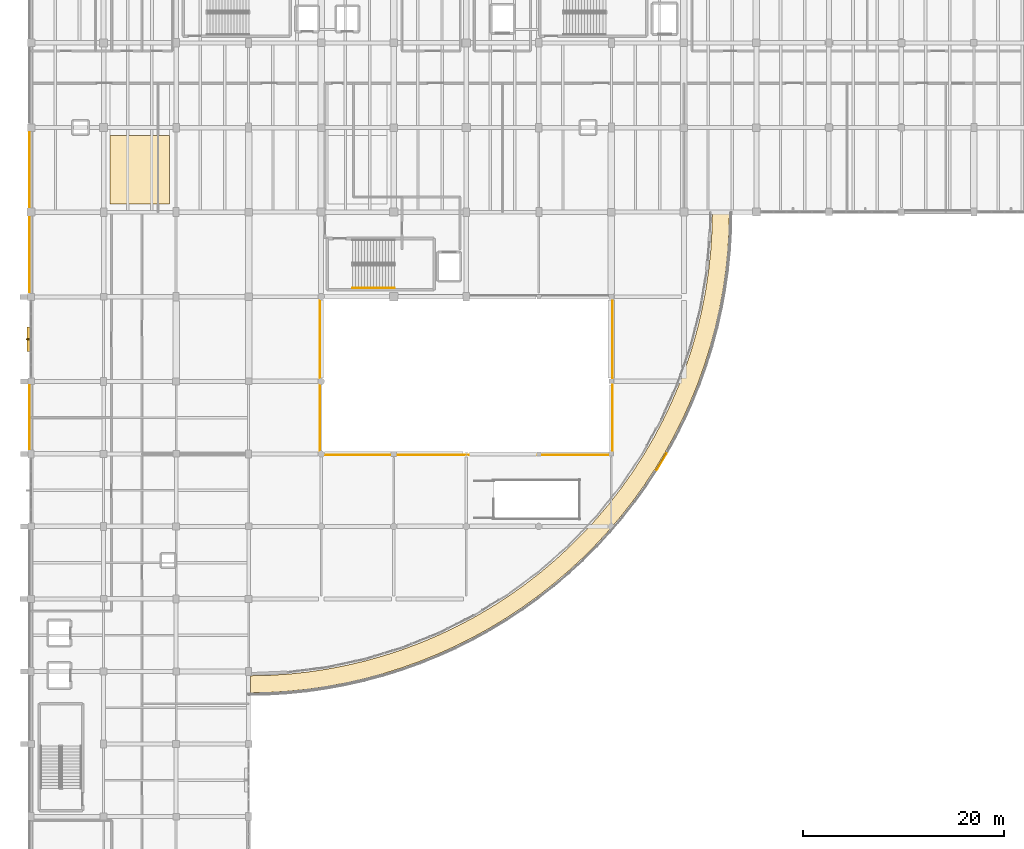
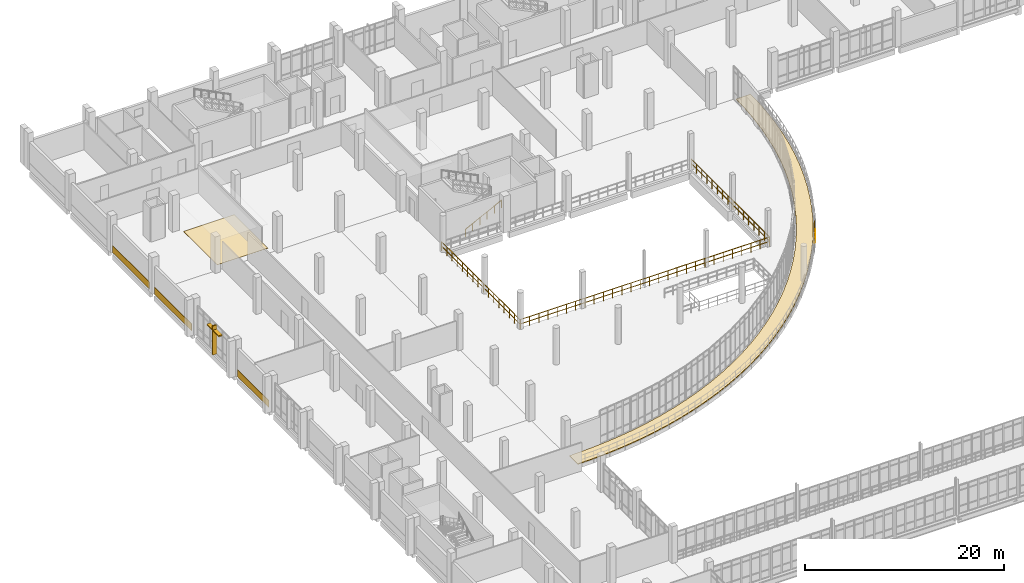
# One storey, part 112 of 116: 6 coverings, 5 railings, 2 shading devices.
"""IFC4 building model written with IfcOpenShell, lengths in metres."""

import ifcopenshell
import ifcopenshell.guid

model = None  # the IFC model being written
_history = None  # IfcOwnerHistory: only IFC2X3 demands one
_inside = {}  # id of a spatial element -> (the spatial element, [elements in it])
_under = {}  # id of a project, library or spatial element -> (it, [spatial elements below it])
_declared = {}  # id of a project -> (the project, [libraries it declares])
_typed = {}  # id of a type object -> (the type object, [elements of that type])
_made_of = {}  # id of a material, layer set ... -> (it, [elements and type objects made of it])


def new_model(schema):
    """Start an empty IFC model of exactly this schema.

    Asked for "IFC4X3", IfcOpenShell would pick the latest addendum, in which some entities
    have other attributes; the version numbers below select the first issue.
    IFC2X3 requires an IfcOwnerHistory on every rooted entity: one is made here for all.
    """
    global model, _history
    if schema == "IFC4X3":
        model = ifcopenshell.file(schema_version=(4, 3, 0, 0))
    else:
        model = ifcopenshell.file(schema=schema)
    _inside.clear()
    _under.clear()
    _declared.clear()
    _typed.clear()
    _made_of.clear()
    _history = None
    if model.schema == "IFC2X3":
        org = make("IfcOrganization", Name="unknown")
        user = make(
            "IfcPersonAndOrganization",
            ThePerson=make("IfcPerson", FamilyName="unknown"),
            TheOrganization=org,
        )
        app = make(
            "IfcApplication",
            ApplicationDeveloper=org,
            Version="unknown",
            ApplicationFullName="unknown",
            ApplicationIdentifier="unknown",
        )
        _history = make(
            "IfcOwnerHistory",
            OwningUser=user,
            OwningApplication=app,
            ChangeAction="ADDED",
            CreationDate=0,
        )
    return model


def make(cls, **values):
    """One entity of the class cls with the attributes given. An attribute that is None is left unset."""
    return model.create_entity(
        cls, **{name: value for name, value in values.items() if value is not None}
    )


def rooted(cls, **values):
    """An entity with a GlobalId (a new one), such as an element, a storey or a relation."""
    return make(cls, GlobalId=ifcopenshell.guid.new(), OwnerHistory=_history, **values)


def si_unit(unit_type, name, prefix=None):
    """IfcSIUnit, for example si_unit("LENGTHUNIT", "METRE", prefix="MILLI")."""
    return make("IfcSIUnit", UnitType=unit_type, Prefix=prefix, Name=name)


def assignment(units):
    """IfcUnitAssignment: the units of a project."""
    return None if units is None else make("IfcUnitAssignment", Units=units)


def point(xyz):
    """IfcCartesianPoint."""
    return None if xyz is None else make("IfcCartesianPoint", Coordinates=xyz)


def direction(xyz):
    """IfcDirection."""
    return None if xyz is None else make("IfcDirection", DirectionRatios=xyz)


def frame(location, z_axis=None, x_axis=None):
    """IfcAxis2Placement3D, a coordinate frame: its origin and axes. An axis left out is left unset."""
    return make(
        "IfcAxis2Placement3D",
        Location=point(location),
        Axis=direction(z_axis),
        RefDirection=direction(x_axis),
    )


def frame_2d(location, x_axis=None):
    """IfcAxis2Placement2D, a coordinate frame in the plane: its origin and x axis."""
    return make(
        "IfcAxis2Placement2D", Location=point(location), RefDirection=direction(x_axis)
    )


def origin():
    """The frame at (0, 0, 0) with its axes left unset."""
    return frame((0.0, 0.0, 0.0))


def origin_2d():
    """The frame at (0, 0) in the plane with its x axis left unset."""
    return frame_2d((0.0, 0.0))


def place(relative_to, where):
    """IfcLocalPlacement: puts the frame where relative to a parent placement (None: the world)."""
    return make(
        "IfcLocalPlacement", PlacementRelTo=relative_to, RelativePlacement=where
    )


def context(
    kind, dimensions, precision=None, world=None, true_north=None, identifier=None
):
    """IfcGeometricRepresentationContext, for example the 3D "Model" context."""
    return make(
        "IfcGeometricRepresentationContext",
        ContextIdentifier=identifier,
        ContextType=kind,
        CoordinateSpaceDimension=dimensions,
        Precision=precision,
        WorldCoordinateSystem=world,
        TrueNorth=true_north,
    )


def subcontext(parent, identifier, kind, view, scale=None):
    """IfcGeometricRepresentationSubContext, for example "Body" below "Model"."""
    return make(
        "IfcGeometricRepresentationSubContext",
        ContextIdentifier=identifier,
        ContextType=kind,
        ParentContext=parent,
        TargetScale=scale,
        TargetView=view,
    )


def project(units=None, contexts=None):
    """IfcProject with its units and contexts."""
    return rooted(
        "IfcProject",
        Name="project",
        RepresentationContexts=contexts,
        UnitsInContext=assignment(units),
    )


def spatial(cls, under=None, at=None, **own):
    """A site, building, storey or space (cls), placed at a placement, below another one or the project."""
    s = rooted(cls, ObjectPlacement=at, **own)
    if under is not None:
        _under.setdefault(under.id(), (under, []))[1].append(s)
    return s


def polyline(points):
    """IfcPolyline through the points."""
    return make("IfcPolyline", Points=[point(p) for p in points])


def profile(cls, at=None, kind="AREA", **sizes):
    """A parametric profile (cls). Its sizes go by their IFC names, for example OverallWidth=200.0."""
    return make(cls, ProfileType=kind, Position=at, **sizes)


def rectangle(**sizes):
    """IfcRectangleProfileDef."""
    return profile("IfcRectangleProfileDef", **sizes)


def circle(**sizes):
    """IfcCircleProfileDef."""
    return profile("IfcCircleProfileDef", **sizes)


def outline(outer, holes=None, kind="AREA"):
    """IfcArbitraryClosedProfileDef: a profile drawn as a closed curve; with holes, ...WithVoids."""
    if holes is None:
        return make("IfcArbitraryClosedProfileDef", ProfileType=kind, OuterCurve=outer)
    return make(
        "IfcArbitraryProfileDefWithVoids",
        ProfileType=kind,
        OuterCurve=outer,
        InnerCurves=holes,
    )


def extrude(swept, where, along, depth):
    """IfcExtrudedAreaSolid: the profile swept, set in the frame where, extruded along a direction by depth."""
    return make(
        "IfcExtrudedAreaSolid",
        SweptArea=swept,
        Position=where,
        ExtrudedDirection=direction(along),
        Depth=depth,
    )


def shape(context_of_items, identifier, shape_type, items):
    """IfcShapeRepresentation: the items that make up one representation, for example the "Body"."""
    return make(
        "IfcShapeRepresentation",
        ContextOfItems=context_of_items,
        RepresentationIdentifier=identifier,
        RepresentationType=shape_type,
        Items=items,
    )


def material(Name=None, Category=None):
    """IfcMaterial."""
    return make("IfcMaterial", Name=Name, Category=Category)


def layer(
    of_material, thickness, ventilated=None, Name=None, Category=None, Priority=None
):
    """IfcMaterialLayer: one layer of a wall or slab, of a material (None: an air gap)."""
    return make(
        "IfcMaterialLayer",
        Material=of_material,
        LayerThickness=thickness,
        IsVentilated=ventilated,
        Name=Name,
        Category=Category,
        Priority=Priority,
    )


def layer_set(layers, Name=None):
    """IfcMaterialLayerSet."""
    return make("IfcMaterialLayerSet", MaterialLayers=layers, LayerSetName=Name)


def made_of(thing, what):
    """Note that an element or type object is made of a material, layer set ...; save() writes the relation."""
    if what is not None:
        _made_of.setdefault(what.id(), (what, []))[1].append(thing)
    return thing


def type_object(cls, material=None, **own):
    """A type object (cls), such as IfcWallType, which elements share."""
    return made_of(rooted(cls, **own), material)


def element(
    cls,
    number,
    at=None,
    inside=None,
    cuts=None,
    type_object=None,
    material=None,
    context=None,
    identifier="Body",
    shape_type=None,
    held_by="IfcProductDefinitionShape",
    body=None,
    shapes=None,
    **own,
):
    """One element of the class cls, such as IfcWall. Its Tag is "e" and its number.

    at: its placement. inside: the storey or other place that contains it. cuts: it is an
    opening in that element (IfcRelVoidsElement). A single representation is given by context,
    identifier, shape_type and body (its items); several are given by shapes. held_by: the class
    of the entity that holds the representations. save() writes the other relations.
    """
    e = rooted(cls, Tag="e%d" % number, ObjectPlacement=at, **own)
    if body is not None:
        shapes = [shape(context, identifier, shape_type, body)]
    if shapes is not None:
        e.Representation = make(held_by, Representations=shapes)
    if inside is not None:
        _inside.setdefault(inside.id(), (inside, []))[1].append(e)
    if cuts is not None:
        rooted(
            "IfcRelVoidsElement", RelatingBuildingElement=cuts, RelatedOpeningElement=e
        )
    if type_object is not None:
        _typed.setdefault(type_object.id(), (type_object, []))[1].append(e)
    return made_of(e, material)


def aggregate(whole, parts):
    """IfcRelAggregates: a whole, such as a stair, and the parts it consists of."""
    return rooted("IfcRelAggregates", RelatingObject=whole, RelatedObjects=parts)


def save(model, path):
    """Write the relations noted so far, then the file.

    IfcRelAggregates (storeys below a building ...), IfcRelContainedInSpatialStructure (elements
    in a storey), IfcRelDefinesByType, IfcRelAssociatesMaterial and IfcRelDeclares: one each for
    every whole, place, type object, material and project.
    """
    for whole, parts in _under.values():
        aggregate(whole, parts)
    for where, things in _inside.values():
        rooted(
            "IfcRelContainedInSpatialStructure",
            RelatedElements=things,
            RelatingStructure=where,
        )
    for kind, things in _typed.values():
        rooted("IfcRelDefinesByType", RelatedObjects=things, RelatingType=kind)
    for what, things in _made_of.values():
        rooted("IfcRelAssociatesMaterial", RelatedObjects=things, RelatingMaterial=what)
    for by, libraries in _declared.values():
        rooted("IfcRelDeclares", RelatingContext=by, RelatedDefinitions=libraries)
    model.write(path)


model = new_model("IFC4")

# Units and contexts
model_context = context("Model", 3, precision=1e-05, world=origin(), true_north=direction((0.0, 1.0)))
body_context = subcontext(model_context, "Body", "Model", "MODEL_VIEW")
ifc_project = project(units=[si_unit("LENGTHUNIT", "METRE"), si_unit("AREAUNIT", "SQUARE_METRE"), si_unit("VOLUMEUNIT", "CUBIC_METRE"), si_unit("PLANEANGLEUNIT", "RADIAN"), si_unit("MASSUNIT", "GRAM", prefix="KILO")], contexts=[model_context])

# Site, building, storey
site_placement = place(None, origin())
site = spatial("IfcSite", under=ifc_project, at=site_placement, CompositionType="ELEMENT")
building_placement = place(site_placement, origin())
building = spatial("IfcBuilding", under=site, at=building_placement, Name="Kalluvel Institute of Natural Sciences", CompositionType="ELEMENT")
storey_placement = place(building_placement, frame((0.0, 0.0, 14.39990234375)))
storey = spatial("IfcBuildingStorey", under=building, at=storey_placement, Name="L03", CompositionType="ELEMENT", Elevation=14.39990234375)

# Coverings
ifc_material_1 = material(Name="Sadarahalli Grey Granite Ashlar Concrete M40", Category="masonry")
ifc_layer_1 = layer(ifc_material_1, 0.044921875)
ifc_layer_set_1 = layer_set([ifc_layer_1], Name="Sadarahalli Grey Granite Ashlar Concrete M40")
covering_type_1 = type_object("IfcCoveringType", Name="COV-CLAD-STONE", PredefinedType="CLADDING", material=ifc_layer_set_1)
covering_1_placement = place(storey_placement, frame((13.820068359375, 107.012451171875, 0.025146484375), z_axis=(0.0, 0.0, 1.0), x_axis=(0.0, 1.0, 0.0)))
element("IfcCovering", 1, at=covering_1_placement, inside=storey, type_object=covering_type_1, Name="L03 Sadarahalli granite plinth spandrel cladding 44", PredefinedType="CLADDING", context=body_context, shape_type="SweptSolid", body=[
    extrude(rectangle(XDim=7.465087890625, YDim=0.044921875, at=origin_2d()), origin(), (0.0, 0.0, 1.0), 0.85009765625),
])
covering_2_placement = place(storey_placement, frame((13.830078125, 82.4375, 0.025146484375), z_axis=(0.0, 0.0, 1.0), x_axis=(0.0, 1.0, 0.0)))
element("IfcCovering", 2, at=covering_2_placement, inside=storey, type_object=covering_type_1, Name="L03 Sadarahalli granite plinth spandrel cladding 166", PredefinedType="CLADDING", context=body_context, shape_type="SweptSolid", body=[
    extrude(rectangle(XDim=6.31494140625, YDim=0.044921875, at=origin_2d()), origin(), (0.0, 0.0, 1.0), 0.85009765625),
])
covering_3_placement = place(storey_placement, frame((13.830078125, 98.574951171875, 0.025146484375), z_axis=(0.0, 0.0, 1.0), x_axis=(0.0, 1.0, 0.0)))
element("IfcCovering", 3, at=covering_3_placement, inside=storey, type_object=covering_type_1, Name="L03 Sadarahalli granite plinth spandrel cladding 167", PredefinedType="CLADDING", context=body_context, shape_type="SweptSolid", body=[
    extrude(rectangle(XDim=7.489990234375, YDim=0.044921875, at=origin_2d()), origin(), (0.0, 0.0, 1.0), 0.85009765625),
])
covering_4_placement = place(storey_placement, frame((76.59228515625, 78.019287109375, -0.31982421875), z_axis=(0.0, 0.0, 1.0), x_axis=(0.517280366086, 0.855815998251, 0.0)))
element("IfcCovering", 4, at=covering_4_placement, inside=storey, type_object=covering_type_1, Name="L03 curved terrace Sadarahalli stone spandrel fascia 317", PredefinedType="CLADDING", context=body_context, shape_type="SweptSolid", body=[
    extrude(rectangle(XDim=1.88916015625, YDim=0.054931640625, at=origin_2d()), origin(), (0.0, 0.0, 1.0), 0.47998046875),
])
ifc_material_2 = material(Name="Seamless Chemical-Resistant Epoxy Flooring", Category="resin")
ifc_layer_2 = layer(ifc_material_2, 0.014892578125)
ifc_layer_set_2 = layer_set([ifc_layer_2], Name="Seamless Chemical-Resistant Epoxy Flooring")
covering_type_2 = type_object("IfcCoveringType", Name="COV-FLR-EPOXY", PredefinedType="FLOORING", material=ifc_layer_set_2)
covering_5_placement = place(storey_placement, origin())
element("IfcCovering", 5, at=covering_5_placement, inside=storey, type_object=covering_type_2, Name="L03 seamless epoxy laboratory floor finish 7", PredefinedType="FLOORING", context=body_context, shape_type="SweptSolid", body=[
    extrude(outline(polyline([(21.85009765625, 103.60009765625), (27.75, 103.60009765625), (27.75, 110.39990234375), (21.85009765625, 110.39990234375), (21.85009765625, 103.60009765625)])), origin(), (0.0, 0.0, 1.0), 0.01513671875),
])
ifc_material_3 = material(Name="Planted Sedum and Native Flora Green-Roof Build-Up", Category="earth")
ifc_layer_3 = layer(ifc_material_3, 0.090087890625)
ifc_layer_set_3 = layer_set([ifc_layer_3], Name="Planted Sedum and Native Flora Green-Roof Build-Up")
covering_type_3 = type_object("IfcCoveringType", Name="COV-TER-PLANTED", PredefinedType="ROOFING", material=ifc_layer_set_3)
covering_6_placement = place(storey_placement, origin())
element("IfcCovering", 6, at=covering_6_placement, inside=storey, type_object=covering_type_3, Name="L03 curved stepped botanical planted garden strip", PredefinedType="ROOFING", context=body_context, shape_type="SweptSolid", body=[
    extrude(outline(polyline([(35.780029296875, 55.083740234375), (35.780029296875, 56.773681640625), (37.553466796875, 56.811279296875), (39.503662109375, 56.935791015625), (41.44677734375, 57.142822265625), (43.379150390625, 57.431884765625), (45.297607421875, 57.802978515625), (47.198486328125, 58.255126953125), (49.07861328125, 58.78759765625), (50.9345703125, 59.3994140625), (52.7626953125, 60.089111328125), (54.559814453125, 60.856201171875), (56.322998046875, 61.698486328125), (58.048583984375, 62.614990234375), (59.73388671875, 63.60400390625), (61.37548828125, 64.66357421875), (62.970947265625, 65.7919921875), (64.51708984375, 66.987060546875), (66.0107421875, 68.24658203125), (67.449951171875, 69.568359375), (68.831787109375, 70.949951171875), (70.153564453125, 72.38916015625), (71.4130859375, 73.883056640625), (72.608154296875, 75.428955078125), (73.736328125, 77.0244140625), (74.7958984375, 78.666015625), (75.784912109375, 80.351318359375), (76.701416015625, 82.0771484375), (77.5439453125, 83.840087890625), (78.310791015625, 85.637451171875), (79.000732421875, 87.465576171875), (79.6123046875, 89.3212890625), (80.144775390625, 91.201416015625), (80.596923828125, 93.1025390625), (80.968017578125, 95.02099609375), (81.257080078125, 96.953369140625), (81.464111328125, 98.896240234375), (81.588623046875, 100.846435546875), (81.626220703125, 102.6201171875), (83.31640625, 102.6201171875), (83.28125, 100.87841796875), (83.165283203125, 98.960205078125), (82.97216796875, 97.048095703125), (82.701904296875, 95.145263671875), (82.355712890625, 93.2548828125), (81.933349609375, 91.3798828125), (81.435791015625, 89.5234375), (80.864013671875, 87.688720703125), (80.218994140625, 85.878173828125), (79.50146484375, 84.095458984375), (78.712646484375, 82.3427734375), (77.85400390625, 80.62353515625), (76.9267578125, 78.93994140625), (75.932373046875, 77.29541015625), (74.872802734375, 75.69189453125), (73.74951171875, 74.132568359375), (72.564208984375, 72.619873046875), (71.31884765625, 71.15576171875), (70.015869140625, 69.7431640625), (68.65673828125, 68.38427734375), (67.244140625, 67.0810546875), (65.7802734375, 65.8359375), (64.267333984375, 64.650634765625), (62.7080078125, 63.52734375), (61.104736328125, 62.467529296875), (59.4599609375, 61.473388671875), (57.776611328125, 60.546142578125), (56.05712890625, 59.6875), (54.3046875, 58.898681640625), (52.521728515625, 58.180908203125), (50.71142578125, 57.535888671875), (48.87646484375, 56.964111328125), (47.02001953125, 56.466796875), (45.145263671875, 56.04443359375), (43.2548828125, 55.697998046875), (41.35205078125, 55.427978515625), (39.439697265625, 55.23486328125), (37.521484375, 55.11865234375), (35.780029296875, 55.083740234375)])), origin(), (0.0, 0.0, 1.0), 0.090087890625),
])

# Railings
ifc_material_4 = material(Name="Steel E350 Grade 350", Category="steel")
railing_type_1 = type_object("IfcRailingType", Name="RL-BAL-EXT", PredefinedType="BALUSTRADE", material=ifc_material_4)
railing_1_placement = place(storey_placement, frame((76.025390625, 77.236572265625, 0.0)))
element("IfcRailing", 7, at=railing_1_placement, inside=storey, type_object=railing_type_1, Name="L03 curved atrium terrace balustrade", PredefinedType="BALUSTRADE", context=body_context, shape_type="SweptSolid", body=[
    extrude(circle(Radius=0.02392578125, at=origin_2d()), frame((0.0, 0.0, 1.09619140625), z_axis=(0.517363219695, 0.855765913616, 0.0), x_axis=(-0.855765913616, 0.517363219695, 0.0)), (0.0, 0.0, 1.0), 1.92626953125),
    extrude(circle(Radius=0.02392578125, at=origin_2d()), frame((0.0, 0.0, 0.56005859375), z_axis=(0.517363219695, 0.855765913616, 0.0), x_axis=(-0.855765913616, 0.517363219695, 0.0)), (0.0, 0.0, 1.0), 1.92626953125),
    extrude(circle(Radius=0.02099609375, at=origin_2d()), origin(), (0.0, 0.0, 1.0), 1.072021484375),
    extrude(circle(Radius=0.02099609375, at=origin_2d()), frame((0.498291015625, 0.82421875, 0.0)), (0.0, 0.0, 1.0), 1.072021484375),
    extrude(circle(Radius=0.02099609375, at=origin_2d()), frame((0.99658203125, 1.6484375, 0.0)), (0.0, 0.0, 1.0), 1.072021484375),
])
ifc_material_5 = material(Name="Galvanized Fire-Rated Steel", Category="steel")
railing_type_2 = type_object("IfcRailingType", Name="RL-GD-ATRIUM", PredefinedType="BALUSTRADE", material=ifc_material_5)
railing_2_placement = place(storey_placement, frame((42.719970703125, 78.679931640625, 0.0)))
element("IfcRailing", 8, at=railing_2_placement, inside=storey, type_object=railing_type_2, Name="L03 Interaction Atrium void safety balustrade S", PredefinedType="BALUSTRADE", context=body_context, shape_type="SweptSolid", body=[
    extrude(circle(Radius=0.02392578125, at=origin_2d()), frame((0.0, 0.0, 1.09619140625), z_axis=(1.0, 0.0, 0.0), x_axis=(0.0, 1.0, 0.0)), (0.0, 0.0, 1.0), 28.9599609375),
    extrude(circle(Radius=0.02392578125, at=origin_2d()), frame((0.0, 0.0, 0.56005859375), z_axis=(1.0, 0.0, 0.0), x_axis=(0.0, 1.0, 0.0)), (0.0, 0.0, 1.0), 28.9599609375),
    extrude(circle(Radius=0.02099609375, at=origin_2d()), origin(), (0.0, 0.0, 1.0), 1.072021484375),
    extrude(circle(Radius=0.02099609375, at=origin_2d()), frame((1.072509765625, 0.0, 0.0)), (0.0, 0.0, 1.0), 1.072021484375),
    extrude(circle(Radius=0.02099609375, at=origin_2d()), frame((2.145263671875, 0.0, 0.0)), (0.0, 0.0, 1.0), 1.072021484375),
    extrude(circle(Radius=0.02099609375, at=origin_2d()), frame((3.2177734375, 0.0, 0.0)), (0.0, 0.0, 1.0), 1.072021484375),
    extrude(circle(Radius=0.02099609375, at=origin_2d()), frame((4.290283203125, 0.0, 0.0)), (0.0, 0.0, 1.0), 1.072021484375),
    extrude(circle(Radius=0.02099609375, at=origin_2d()), frame((5.363037109375, 0.0, 0.0)), (0.0, 0.0, 1.0), 1.072021484375),
    extrude(circle(Radius=0.02099609375, at=origin_2d()), frame((6.435546875, 0.0, 0.0)), (0.0, 0.0, 1.0), 1.072021484375),
    extrude(circle(Radius=0.02099609375, at=origin_2d()), frame((7.508056640625, 0.0, 0.0)), (0.0, 0.0, 1.0), 1.072021484375),
    extrude(circle(Radius=0.02099609375, at=origin_2d()), frame((8.580810546875, 0.0, 0.0)), (0.0, 0.0, 1.0), 1.072021484375),
    extrude(circle(Radius=0.02099609375, at=origin_2d()), frame((9.6533203125, 0.0, 0.0)), (0.0, 0.0, 1.0), 1.072021484375),
    extrude(circle(Radius=0.02099609375, at=origin_2d()), frame((10.725830078125, 0.0, 0.0)), (0.0, 0.0, 1.0), 1.072021484375),
    extrude(circle(Radius=0.02099609375, at=origin_2d()), frame((11.798583984375, 0.0, 0.0)), (0.0, 0.0, 1.0), 1.072021484375),
    extrude(circle(Radius=0.02099609375, at=origin_2d()), frame((12.87109375, 0.0, 0.0)), (0.0, 0.0, 1.0), 1.072021484375),
    extrude(circle(Radius=0.02099609375, at=origin_2d()), frame((13.943603515625, 0.0, 0.0)), (0.0, 0.0, 1.0), 1.072021484375),
    extrude(circle(Radius=0.02099609375, at=origin_2d()), frame((15.016357421875, 0.0, 0.0)), (0.0, 0.0, 1.0), 1.072021484375),
    extrude(circle(Radius=0.02099609375, at=origin_2d()), frame((16.0888671875, 0.0, 0.0)), (0.0, 0.0, 1.0), 1.072021484375),
    extrude(circle(Radius=0.02099609375, at=origin_2d()), frame((17.161376953125, 0.0, 0.0)), (0.0, 0.0, 1.0), 1.072021484375),
    extrude(circle(Radius=0.02099609375, at=origin_2d()), frame((18.234130859375, 0.0, 0.0)), (0.0, 0.0, 1.0), 1.072021484375),
    extrude(circle(Radius=0.02099609375, at=origin_2d()), frame((19.306640625, 0.0, 0.0)), (0.0, 0.0, 1.0), 1.072021484375),
    extrude(circle(Radius=0.02099609375, at=origin_2d()), frame((20.379150390625, 0.0, 0.0)), (0.0, 0.0, 1.0), 1.072021484375),
    extrude(circle(Radius=0.02099609375, at=origin_2d()), frame((21.451904296875, 0.0, 0.0)), (0.0, 0.0, 1.0), 1.072021484375),
    extrude(circle(Radius=0.02099609375, at=origin_2d()), frame((22.5244140625, 0.0, 0.0)), (0.0, 0.0, 1.0), 1.072021484375),
    extrude(circle(Radius=0.02099609375, at=origin_2d()), frame((23.596923828125, 0.0, 0.0)), (0.0, 0.0, 1.0), 1.072021484375),
    extrude(circle(Radius=0.02099609375, at=origin_2d()), frame((24.669677734375, 0.0, 0.0)), (0.0, 0.0, 1.0), 1.072021484375),
    extrude(circle(Radius=0.02099609375, at=origin_2d()), frame((25.7421875, 0.0, 0.0)), (0.0, 0.0, 1.0), 1.072021484375),
    extrude(circle(Radius=0.02099609375, at=origin_2d()), frame((26.814697265625, 0.0, 0.0)), (0.0, 0.0, 1.0), 1.072021484375),
    extrude(circle(Radius=0.02099609375, at=origin_2d()), frame((27.887451171875, 0.0, 0.0)), (0.0, 0.0, 1.0), 1.072021484375),
    extrude(circle(Radius=0.02099609375, at=origin_2d()), frame((28.9599609375, 0.0, 0.0)), (0.0, 0.0, 1.0), 1.072021484375),
])
railing_3_placement = place(storey_placement, frame((71.719970703125, 78.719970703125, 0.0)))
element("IfcRailing", 9, at=railing_3_placement, inside=storey, type_object=railing_type_2, Name="L03 Interaction Atrium void safety balustrade E", PredefinedType="BALUSTRADE", context=body_context, shape_type="SweptSolid", body=[
    extrude(circle(Radius=0.02392578125, at=origin_2d()), frame((0.0, 0.0, 1.09619140625), z_axis=(0.0, 1.0, 0.0), x_axis=(-1.0, 0.0, 0.0)), (0.0, 0.0, 1.0), 15.760009765625),
    extrude(circle(Radius=0.02392578125, at=origin_2d()), frame((0.0, 0.0, 0.56005859375), z_axis=(0.0, 1.0, 0.0), x_axis=(-1.0, 0.0, 0.0)), (0.0, 0.0, 1.0), 15.760009765625),
    extrude(circle(Radius=0.02099609375, at=origin_2d()), origin(), (0.0, 0.0, 1.0), 1.072021484375),
    extrude(circle(Radius=0.02099609375, at=origin_2d()), frame((0.0, 1.05078125, 0.0)), (0.0, 0.0, 1.0), 1.072021484375),
    extrude(circle(Radius=0.02099609375, at=origin_2d()), frame((0.0, 2.101318359375, 0.0)), (0.0, 0.0, 1.0), 1.072021484375),
    extrude(circle(Radius=0.02099609375, at=origin_2d()), frame((0.0, 3.152099609375, 0.0)), (0.0, 0.0, 1.0), 1.072021484375),
    extrude(circle(Radius=0.02099609375, at=origin_2d()), frame((0.0, 4.20263671875, 0.0)), (0.0, 0.0, 1.0), 1.072021484375),
    extrude(circle(Radius=0.02099609375, at=origin_2d()), frame((0.0, 5.25341796875, 0.0)), (0.0, 0.0, 1.0), 1.072021484375),
    extrude(circle(Radius=0.02099609375, at=origin_2d()), frame((0.0, 6.303955078125, 0.0)), (0.0, 0.0, 1.0), 1.072021484375),
    extrude(circle(Radius=0.02099609375, at=origin_2d()), frame((0.0, 7.354736328125, 0.0)), (0.0, 0.0, 1.0), 1.072021484375),
    extrude(circle(Radius=0.02099609375, at=origin_2d()), frame((0.0, 8.4052734375, 0.0)), (0.0, 0.0, 1.0), 1.072021484375),
    extrude(circle(Radius=0.02099609375, at=origin_2d()), frame((0.0, 9.4560546875, 0.0)), (0.0, 0.0, 1.0), 1.072021484375),
    extrude(circle(Radius=0.02099609375, at=origin_2d()), frame((0.0, 10.506591796875, 0.0)), (0.0, 0.0, 1.0), 1.072021484375),
    extrude(circle(Radius=0.02099609375, at=origin_2d()), frame((0.0, 11.557373046875, 0.0)), (0.0, 0.0, 1.0), 1.072021484375),
    extrude(circle(Radius=0.02099609375, at=origin_2d()), frame((0.0, 12.60791015625, 0.0)), (0.0, 0.0, 1.0), 1.072021484375),
    extrude(circle(Radius=0.02099609375, at=origin_2d()), frame((0.0, 13.65869140625, 0.0)), (0.0, 0.0, 1.0), 1.072021484375),
    extrude(circle(Radius=0.02099609375, at=origin_2d()), frame((0.0, 14.709228515625, 0.0)), (0.0, 0.0, 1.0), 1.072021484375),
    extrude(circle(Radius=0.02099609375, at=origin_2d()), frame((0.0, 15.760009765625, 0.0)), (0.0, 0.0, 1.0), 1.072021484375),
])
railing_4_placement = place(storey_placement, frame((42.679931640625, 94.47998046875, 0.0)))
element("IfcRailing", 10, at=railing_4_placement, inside=storey, type_object=railing_type_2, Name="L03 Interaction Atrium void safety balustrade W", PredefinedType="BALUSTRADE", context=body_context, shape_type="SweptSolid", body=[
    extrude(circle(Radius=0.02392578125, at=origin_2d()), frame((0.0, 0.0, 1.09619140625), z_axis=(0.0, -1.0, 0.0), x_axis=(1.0, 0.0, 0.0)), (0.0, 0.0, 1.0), 15.760009765625),
    extrude(circle(Radius=0.02392578125, at=origin_2d()), frame((0.0, 0.0, 0.56005859375), z_axis=(0.0, -1.0, 0.0), x_axis=(1.0, 0.0, 0.0)), (0.0, 0.0, 1.0), 15.760009765625),
    extrude(circle(Radius=0.02099609375, at=origin_2d()), origin(), (0.0, 0.0, 1.0), 1.072021484375),
    extrude(circle(Radius=0.02099609375, at=origin_2d()), frame((0.0, -1.05078125, 0.0)), (0.0, 0.0, 1.0), 1.072021484375),
    extrude(circle(Radius=0.02099609375, at=origin_2d()), frame((0.0, -2.101318359375, 0.0)), (0.0, 0.0, 1.0), 1.072021484375),
    extrude(circle(Radius=0.02099609375, at=origin_2d()), frame((0.0, -3.152099609375, 0.0)), (0.0, 0.0, 1.0), 1.072021484375),
    extrude(circle(Radius=0.02099609375, at=origin_2d()), frame((0.0, -4.20263671875, 0.0)), (0.0, 0.0, 1.0), 1.072021484375),
    extrude(circle(Radius=0.02099609375, at=origin_2d()), frame((0.0, -5.25341796875, 0.0)), (0.0, 0.0, 1.0), 1.072021484375),
    extrude(circle(Radius=0.02099609375, at=origin_2d()), frame((0.0, -6.303955078125, 0.0)), (0.0, 0.0, 1.0), 1.072021484375),
    extrude(circle(Radius=0.02099609375, at=origin_2d()), frame((0.0, -7.354736328125, 0.0)), (0.0, 0.0, 1.0), 1.072021484375),
    extrude(circle(Radius=0.02099609375, at=origin_2d()), frame((0.0, -8.4052734375, 0.0)), (0.0, 0.0, 1.0), 1.072021484375),
    extrude(circle(Radius=0.02099609375, at=origin_2d()), frame((0.0, -9.4560546875, 0.0)), (0.0, 0.0, 1.0), 1.072021484375),
    extrude(circle(Radius=0.02099609375, at=origin_2d()), frame((0.0, -10.506591796875, 0.0)), (0.0, 0.0, 1.0), 1.072021484375),
    extrude(circle(Radius=0.02099609375, at=origin_2d()), frame((0.0, -11.557373046875, 0.0)), (0.0, 0.0, 1.0), 1.072021484375),
    extrude(circle(Radius=0.02099609375, at=origin_2d()), frame((0.0, -12.60791015625, 0.0)), (0.0, 0.0, 1.0), 1.072021484375),
    extrude(circle(Radius=0.02099609375, at=origin_2d()), frame((0.0, -13.65869140625, 0.0)), (0.0, 0.0, 1.0), 1.072021484375),
    extrude(circle(Radius=0.02099609375, at=origin_2d()), frame((0.0, -14.709228515625, 0.0)), (0.0, 0.0, 1.0), 1.072021484375),
    extrude(circle(Radius=0.02099609375, at=origin_2d()), frame((0.0, -15.760009765625, 0.0)), (0.0, 0.0, 1.0), 1.072021484375),
])
railing_type_3 = type_object("IfcRailingType", Name="RL-HR-STAIR", PredefinedType="HANDRAIL", material=ifc_material_5)
railing_5_placement = place(storey_placement, frame((45.89990234375, 95.25, 0.150146484375)))
element("IfcRailing", 11, at=railing_5_placement, inside=storey, type_object=railing_type_3, Name="L03 ST3 stair handrail 1", PredefinedType="HANDRAIL", context=body_context, shape_type="SweptSolid", body=[
    extrude(circle(Radius=0.02392578125, at=origin_2d()), frame((0.0, 0.0, 0.89599609375), z_axis=(0.894447986312, 0.0, 0.447172002457), x_axis=(0.0, 1.0, 0.0)), (0.0, 0.0, 1.0), 4.69580078125),
    extrude(circle(Radius=0.02099609375, at=origin_2d()), origin(), (0.0, 0.0, 1.0), 0.871826171875),
    extrude(circle(Radius=0.02099609375, at=origin_2d()), frame((0.840087890625, 0.0, 0.419921875)), (0.0, 0.0, 1.0), 0.871826171875),
    extrude(circle(Radius=0.02099609375, at=origin_2d()), frame((1.68017578125, 0.0, 0.83984375)), (0.0, 0.0, 1.0), 0.871826171875),
    extrude(circle(Radius=0.02099609375, at=origin_2d()), frame((2.52001953125, 0.0, 1.260009765625)), (0.0, 0.0, 1.0), 0.871826171875),
    extrude(circle(Radius=0.02099609375, at=origin_2d()), frame((3.360107421875, 0.0, 1.679931640625)), (0.0, 0.0, 1.0), 0.871826171875),
    extrude(circle(Radius=0.02099609375, at=origin_2d()), frame((4.2001953125, 0.0, 2.099853515625)), (0.0, 0.0, 1.0), 0.871826171875),
])

# Shading devices
shading_device_type_1 = type_object("IfcShadingDeviceType", Name="SHD-FIN-STONE", PredefinedType="USERDEFINED", material=ifc_material_1)
shading_device_1_placement = place(storey_placement, frame((13.780029296875, 90.1875, 0.0), z_axis=(0.0, 0.0, 1.0), x_axis=(0.0, 1.0, 0.0)))
element("IfcShadingDevice", 12, at=shading_device_1_placement, inside=storey, type_object=shading_device_type_1, Name="L03 monsoon lancet shading fin 156", ObjectType="MONSOON FIN", PredefinedType="USERDEFINED", context=body_context, shape_type="SweptSolid", body=[
    extrude(rectangle(XDim=0.139892578125, YDim=0.47998046875, at=origin_2d()), origin(), (0.0, 0.0, 1.0), 3.570068359375),
])
ifc_material_6 = material(Name="Aluminium AW-6063 T6", Category="aluminium")
shading_device_type_2 = type_object("IfcShadingDeviceType", Name="SHD-LOUV-ALU", PredefinedType="JALOUSIE", material=ifc_material_6)
shading_device_2_placement = place(storey_placement, frame((13.800048828125, 90.1875, 2.89013671875), z_axis=(0.0, 0.0, 1.0), x_axis=(0.0, 1.0, 0.0)))
element("IfcShadingDevice", 13, at=shading_device_2_placement, inside=storey, type_object=shading_device_type_2, Name="L03 aluminium sun-shading louvre 157", PredefinedType="JALOUSIE", context=body_context, shape_type="SweptSolid", body=[
    extrude(rectangle(XDim=2.39990234375, YDim=0.419921875, at=origin_2d()), origin(), (0.0, 0.0, 1.0), 0.159912109375),
])

save(model, "model.ifc")
